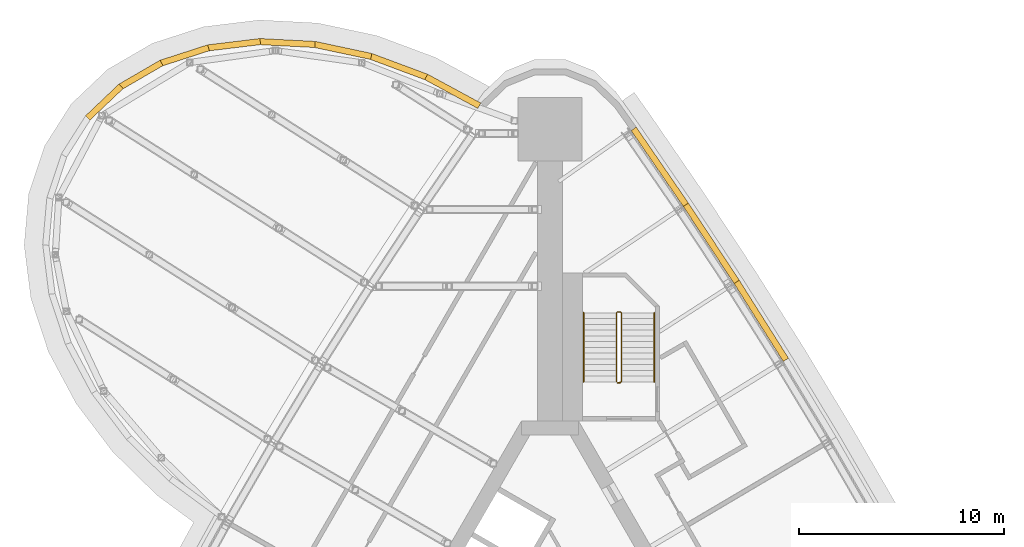
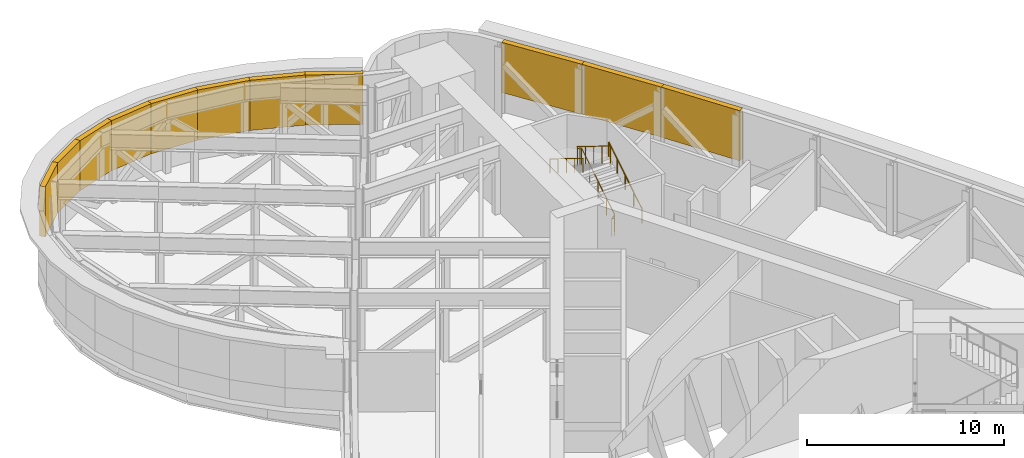
# One storey, part 11 of 11: 11 shading devices, 3 railings.
"""IFC4 building model written with IfcOpenShell, lengths in metres."""

from ifc_helpers import new_model, si_unit, direction, frame, origin, origin_2d, place, context, subcontext, project, spatial, polyline, circle, outline, extrude, material, type_object, element, save


model = new_model("IFC4")

# Units and contexts
model_context = context("Model", 3, precision=1e-05, world=origin(), true_north=direction((0.0, 1.0)))
body_context = subcontext(model_context, "Body", "Model", "MODEL_VIEW")
ifc_project = project(units=[si_unit("LENGTHUNIT", "METRE"), si_unit("AREAUNIT", "SQUARE_METRE"), si_unit("VOLUMEUNIT", "CUBIC_METRE"), si_unit("PLANEANGLEUNIT", "RADIAN"), si_unit("MASSUNIT", "GRAM", prefix="KILO")], contexts=[model_context])

# Site, building, storey
site_placement = place(None, origin())
site = spatial("IfcSite", under=ifc_project, at=site_placement, CompositionType="ELEMENT")
building_placement = place(site_placement, origin())
building = spatial("IfcBuilding", under=site, at=building_placement, Name="Noor Cloister Tower", CompositionType="ELEMENT")
storey_placement = place(building_placement, frame((0.0, 0.0, 87.0)))
storey = spatial("IfcBuildingStorey", under=building, at=storey_placement, Name="L22", CompositionType="ELEMENT", Elevation=87.0)

# Shading devices
ifc_material_1 = material(Name="Aluminium 6063-T6 anodised", Category="aluminium")
shading_device_type = type_object("IfcShadingDeviceType", Name="LOUVRE plant air 40 percent free", PredefinedType="USERDEFINED", material=ifc_material_1)
shading_device_1_placement = place(storey_placement, frame((0.0, 0.0, 1.199951171875)))
element("IfcShadingDevice", 1, at=shading_device_1_placement, inside=storey, type_object=shading_device_type, Name="LOUVRE L22 1.1", ObjectType="LOUVRE", PredefinedType="USERDEFINED", context=body_context, shape_type="SweptSolid", body=[
    extrude(outline(polyline([(-3.37548828125, 26.95263671875), (-5.96630859375, 28.357666015625), (-6.109130859375, 28.093994140625), (-3.5185546875, 26.68896484375), (-3.37548828125, 26.95263671875)])), origin(), (0.0, 0.0, 1.0), 3.10009765625),
])
shading_device_2_placement = place(storey_placement, frame((0.0, 0.0, 1.199951171875)))
element("IfcShadingDevice", 2, at=shading_device_2_placement, inside=storey, type_object=shading_device_type, Name="LOUVRE L22 1.2", ObjectType="LOUVRE", PredefinedType="USERDEFINED", context=body_context, shape_type="SweptSolid", body=[
    extrude(outline(polyline([(-5.96630859375, 28.357666015625), (-8.68701171875, 29.370849609375), (-8.791748046875, 29.08984375), (-6.07080078125, 28.076416015625), (-5.96630859375, 28.357666015625)])), origin(), (0.0, 0.0, 1.0), 3.10009765625),
])
shading_device_3_placement = place(storey_placement, frame((0.0, 0.0, 1.199951171875)))
element("IfcShadingDevice", 3, at=shading_device_3_placement, inside=storey, type_object=shading_device_type, Name="LOUVRE L22 1.3", ObjectType="LOUVRE", PredefinedType="USERDEFINED", context=body_context, shape_type="SweptSolid", body=[
    extrude(outline(polyline([(-8.68701171875, 29.370849609375), (-11.445556640625, 29.9580078125), (-11.508056640625, 29.66455078125), (-8.74951171875, 29.077392578125), (-8.68701171875, 29.370849609375)])), origin(), (0.0, 0.0, 1.0), 3.10009765625),
])
shading_device_4_placement = place(storey_placement, frame((0.0, 0.0, 1.199951171875)))
element("IfcShadingDevice", 4, at=shading_device_4_placement, inside=storey, type_object=shading_device_type, Name="LOUVRE L22 1.4", ObjectType="LOUVRE", PredefinedType="USERDEFINED", context=body_context, shape_type="SweptSolid", body=[
    extrude(outline(polyline([(-11.445556640625, 29.9580078125), (-14.147705078125, 30.098876953125), (-14.163330078125, 29.79931640625), (-11.461181640625, 29.658447265625), (-11.445556640625, 29.9580078125)])), origin(), (0.0, 0.0, 1.0), 3.10009765625),
])
shading_device_5_placement = place(storey_placement, frame((0.0, 0.0, 1.199951171875)))
element("IfcShadingDevice", 5, at=shading_device_5_placement, inside=storey, type_object=shading_device_type, Name="LOUVRE L22 1.5", ObjectType="LOUVRE", PredefinedType="USERDEFINED", context=body_context, shape_type="SweptSolid", body=[
    extrude(outline(polyline([(-14.147705078125, 30.098876953125), (-16.70166015625, 29.7890625), (-16.66552734375, 29.4912109375), (-14.111572265625, 29.80126953125), (-14.147705078125, 30.098876953125)])), origin(), (0.0, 0.0, 1.0), 3.10009765625),
])
shading_device_6_placement = place(storey_placement, frame((0.0, 0.0, 1.199951171875)))
element("IfcShadingDevice", 6, at=shading_device_6_placement, inside=storey, type_object=shading_device_type, Name="LOUVRE L22 1.6", ObjectType="LOUVRE", PredefinedType="USERDEFINED", context=body_context, shape_type="SweptSolid", body=[
    extrude(outline(polyline([(-16.70166015625, 29.7890625), (-19.02001953125, 29.03857421875), (-18.927734375, 28.753173828125), (-16.609130859375, 29.50341796875), (-16.70166015625, 29.7890625)])), origin(), (0.0, 0.0, 1.0), 3.10009765625),
])
shading_device_7_placement = place(storey_placement, frame((0.0, 0.0, 1.199951171875)))
element("IfcShadingDevice", 7, at=shading_device_7_placement, inside=storey, type_object=shading_device_type, Name="LOUVRE L22 1.7", ObjectType="LOUVRE", PredefinedType="USERDEFINED", context=body_context, shape_type="SweptSolid", body=[
    extrude(outline(polyline([(-19.02001953125, 29.03857421875), (-21.0244140625, 27.873291015625), (-20.87353515625, 27.61376953125), (-18.869384765625, 28.779052734375), (-19.02001953125, 29.03857421875)])), origin(), (0.0, 0.0, 1.0), 3.10009765625),
])
shading_device_8_placement = place(storey_placement, frame((0.0, 0.0, 1.199951171875)))
element("IfcShadingDevice", 8, at=shading_device_8_placement, inside=storey, type_object=shading_device_type, Name="LOUVRE L22 1.8", ObjectType="LOUVRE", PredefinedType="USERDEFINED", context=body_context, shape_type="SweptSolid", body=[
    extrude(outline(polyline([(-21.0244140625, 27.873291015625), (-22.646240234375, 26.332763671875), (-22.439453125, 26.115234375), (-20.81787109375, 27.65576171875), (-21.0244140625, 27.873291015625)])), origin(), (0.0, 0.0, 1.0), 3.10009765625),
])
shading_device_9_placement = place(storey_placement, frame((0.0, 0.0, 1.199951171875)))
element("IfcShadingDevice", 9, at=shading_device_9_placement, inside=storey, type_object=shading_device_type, Name="LOUVRE L22 4.7", ObjectType="LOUVRE", PredefinedType="USERDEFINED", context=body_context, shape_type="SweptSolid", body=[
    extrude(outline(polyline([(11.6318359375, 14.5087890625), (9.230224609375, 18.314208984375), (8.9765625, 18.154052734375), (11.378173828125, 14.3486328125), (11.6318359375, 14.5087890625)])), origin(), (0.0, 0.0, 1.0), 3.10009765625),
])
shading_device_10_placement = place(storey_placement, frame((0.0, 0.0, 1.199951171875)))
element("IfcShadingDevice", 10, at=shading_device_10_placement, inside=storey, type_object=shading_device_type, Name="LOUVRE L22 4.8", ObjectType="LOUVRE", PredefinedType="USERDEFINED", context=body_context, shape_type="SweptSolid", body=[
    extrude(outline(polyline([(9.230224609375, 18.314208984375), (6.754150390625, 22.07177734375), (6.503662109375, 21.90673828125), (8.979736328125, 18.149169921875), (9.230224609375, 18.314208984375)])), origin(), (0.0, 0.0, 1.0), 3.10009765625),
])
shading_device_11_placement = place(storey_placement, frame((0.0, 0.0, 1.199951171875)))
element("IfcShadingDevice", 11, at=shading_device_11_placement, inside=storey, type_object=shading_device_type, Name="LOUVRE L22 4.9", ObjectType="LOUVRE", PredefinedType="USERDEFINED", context=body_context, shape_type="SweptSolid", body=[
    extrude(outline(polyline([(6.754150390625, 22.07177734375), (4.204833984375, 25.77978515625), (3.95751953125, 25.60986328125), (6.507080078125, 21.90185546875), (6.754150390625, 22.07177734375)])), origin(), (0.0, 0.0, 1.0), 3.10009765625),
])

# Railings
ifc_material_2 = material(Name="Stainless steel", Category="steel")
railing_type_1 = type_object("IfcRailingType", Name="Stair guard 1100", PredefinedType="GUARDRAIL", material=ifc_material_2)
railing_1_placement = place(storey_placement, frame((3.435546875, 13.306396484375, 0.0)))
element("IfcRailing", 12, at=railing_1_placement, inside=storey, type_object=railing_type_1, Name="Stair guard ST1 L22", PredefinedType="GUARDRAIL", context=body_context, shape_type="SweptSolid", body=[
    extrude(circle(Radius=0.02392578125, at=origin_2d()), frame((0.0, 0.0, 1.076171875), z_axis=(-1.0, 0.0, 0.0), x_axis=(0.0, -1.0, 0.0)), (0.0, 0.0, 1.0), 0.14990234375),
    extrude(circle(Radius=0.02392578125, at=origin_2d()), frame((-0.14990234375, 0.0, 1.076171875), z_axis=(0.742869136974, 0.185944045274, 0.643094283413), x_axis=(-0.242814311512, 0.970072785993, 0.0)), (0.0, 0.0, 1.0), 0.26904296875),
    extrude(circle(Radius=0.02392578125, at=origin_2d()), frame((0.050048828125, 0.050048828125, 1.2490234375), z_axis=(0.0, 0.850606129759, 0.525803396734), x_axis=(-1.0, 0.0, 0.0)), (0.0, 0.0, 1.0), 3.949951171875),
    extrude(circle(Radius=0.02392578125, at=origin_2d()), frame((0.050048828125, 3.409912109375, 3.326171875), z_axis=(-0.707106781187, 0.707106781187, 0.0), x_axis=(-0.707106781187, -0.707106781187, 0.0)), (0.0, 0.0, 1.0), 0.07080078125),
    extrude(circle(Radius=0.02392578125, at=origin_2d()), frame((0.0, 3.4599609375, 3.326171875), z_axis=(-1.0, 0.0, 0.0), x_axis=(0.0, -1.0, 0.0)), (0.0, 0.0, 1.0), 0.14990234375),
    extrude(circle(Radius=0.02392578125, at=origin_2d()), frame((-0.14990234375, 3.4599609375, 3.326171875), z_axis=(-0.267629722418, -0.267629722418, 0.925607186314), x_axis=(0.707106781187, -0.707106781187, 0.0)), (0.0, 0.0, 1.0), 0.18701171875),
    extrude(circle(Radius=0.02392578125, at=origin_2d()), frame((-0.199951171875, 3.409912109375, 3.4990234375), z_axis=(0.0, -0.850606129759, 0.525803396734), x_axis=(1.0, 0.0, 0.0)), (0.0, 0.0, 1.0), 3.949951171875),
    extrude(circle(Radius=0.02099609375, at=origin_2d()), origin(), (0.0, 0.0, 1.0), 1.052001953125),
    extrude(circle(Radius=0.02099609375, at=origin_2d()), frame((-0.14990234375, 0.0, 0.0)), (0.0, 0.0, 1.0), 1.052001953125),
    extrude(circle(Radius=0.02099609375, at=origin_2d()), frame((0.050048828125, 0.050048828125, 0.173095703125)), (0.0, 0.0, 1.0), 1.052001953125),
    extrude(circle(Radius=0.02099609375, at=origin_2d()), frame((0.050048828125, 0.89013671875, 0.6923828125)), (0.0, 0.0, 1.0), 1.052001953125),
    extrude(circle(Radius=0.02099609375, at=origin_2d()), frame((0.050048828125, 1.72998046875, 1.21142578125)), (0.0, 0.0, 1.0), 1.052001953125),
    extrude(circle(Radius=0.02099609375, at=origin_2d()), frame((0.050048828125, 2.56982421875, 1.730712890625)), (0.0, 0.0, 1.0), 1.052001953125),
    extrude(circle(Radius=0.02099609375, at=origin_2d()), frame((0.050048828125, 3.409912109375, 2.25)), (0.0, 0.0, 1.0), 1.052001953125),
    extrude(circle(Radius=0.02099609375, at=origin_2d()), frame((0.0, 3.4599609375, 2.25)), (0.0, 0.0, 1.0), 1.052001953125),
    extrude(circle(Radius=0.02099609375, at=origin_2d()), frame((-0.14990234375, 3.4599609375, 2.25)), (0.0, 0.0, 1.0), 1.052001953125),
    extrude(circle(Radius=0.02099609375, at=origin_2d()), frame((-0.199951171875, 3.409912109375, 2.423095703125)), (0.0, 0.0, 1.0), 1.052001953125),
    extrude(circle(Radius=0.02099609375, at=origin_2d()), frame((-0.199951171875, 2.56982421875, 2.9423828125)), (0.0, 0.0, 1.0), 1.052001953125),
    extrude(circle(Radius=0.02099609375, at=origin_2d()), frame((-0.199951171875, 1.72998046875, 3.46142578125)), (0.0, 0.0, 1.0), 1.052001953125),
    extrude(circle(Radius=0.02099609375, at=origin_2d()), frame((-0.199951171875, 0.89013671875, 3.980712890625)), (0.0, 0.0, 1.0), 1.052001953125),
    extrude(circle(Radius=0.02099609375, at=origin_2d()), frame((-0.199951171875, 0.050048828125, 4.5)), (0.0, 0.0, 1.0), 1.052001953125),
])
ifc_material_3 = material(Name="Stainless steel", Category="steel")
railing_type_2 = type_object("IfcRailingType", Name="Stair handrail 900", PredefinedType="HANDRAIL", material=ifc_material_3)
railing_2_placement = place(storey_placement, frame((5.085693359375, 13.3564453125, 0.173095703125)))
element("IfcRailing", 13, at=railing_2_placement, inside=storey, type_object=railing_type_2, Name="Stair handrail ST1 L22 1", PredefinedType="HANDRAIL", context=body_context, shape_type="SweptSolid", body=[
    extrude(circle(Radius=0.02392578125, at=origin_2d()), frame((0.0, 0.0, 0.8759765625), z_axis=(0.0, 0.850606129759, 0.525803396734), x_axis=(-1.0, 0.0, 0.0)), (0.0, 0.0, 1.0), 3.949951171875),
    extrude(circle(Radius=0.02099609375, at=origin_2d()), origin(), (0.0, 0.0, 1.0), 0.851806640625),
    extrude(circle(Radius=0.02099609375, at=origin_2d()), frame((0.0, 0.83984375, 0.519287109375)), (0.0, 0.0, 1.0), 0.851806640625),
    extrude(circle(Radius=0.02099609375, at=origin_2d()), frame((0.0, 1.679931640625, 1.03857421875)), (0.0, 0.0, 1.0), 0.851806640625),
    extrude(circle(Radius=0.02099609375, at=origin_2d()), frame((0.0, 2.52001953125, 1.5576171875)), (0.0, 0.0, 1.0), 0.851806640625),
    extrude(circle(Radius=0.02099609375, at=origin_2d()), frame((0.0, 3.35986328125, 2.076904296875)), (0.0, 0.0, 1.0), 0.851806640625),
])
railing_3_placement = place(storey_placement, frame((1.6357421875, 16.71630859375, 2.423095703125)))
element("IfcRailing", 14, at=railing_3_placement, inside=storey, type_object=railing_type_2, Name="Stair handrail ST1 L22 2", PredefinedType="HANDRAIL", context=body_context, shape_type="SweptSolid", body=[
    extrude(circle(Radius=0.02392578125, at=origin_2d()), frame((0.0, 0.0, 0.8759765625), z_axis=(0.0, -0.850606129759, 0.525803396734), x_axis=(1.0, 0.0, 0.0)), (0.0, 0.0, 1.0), 3.949951171875),
    extrude(circle(Radius=0.02099609375, at=origin_2d()), origin(), (0.0, 0.0, 1.0), 0.851806640625),
    extrude(circle(Radius=0.02099609375, at=origin_2d()), frame((0.0, -0.83984375, 0.519287109375)), (0.0, 0.0, 1.0), 0.851806640625),
    extrude(circle(Radius=0.02099609375, at=origin_2d()), frame((0.0, -1.679931640625, 1.03857421875)), (0.0, 0.0, 1.0), 0.851806640625),
    extrude(circle(Radius=0.02099609375, at=origin_2d()), frame((0.0, -2.52001953125, 1.5576171875)), (0.0, 0.0, 1.0), 0.851806640625),
    extrude(circle(Radius=0.02099609375, at=origin_2d()), frame((0.0, -3.35986328125, 2.076904296875)), (0.0, 0.0, 1.0), 0.851806640625),
])

save(model, "model.ifc")
